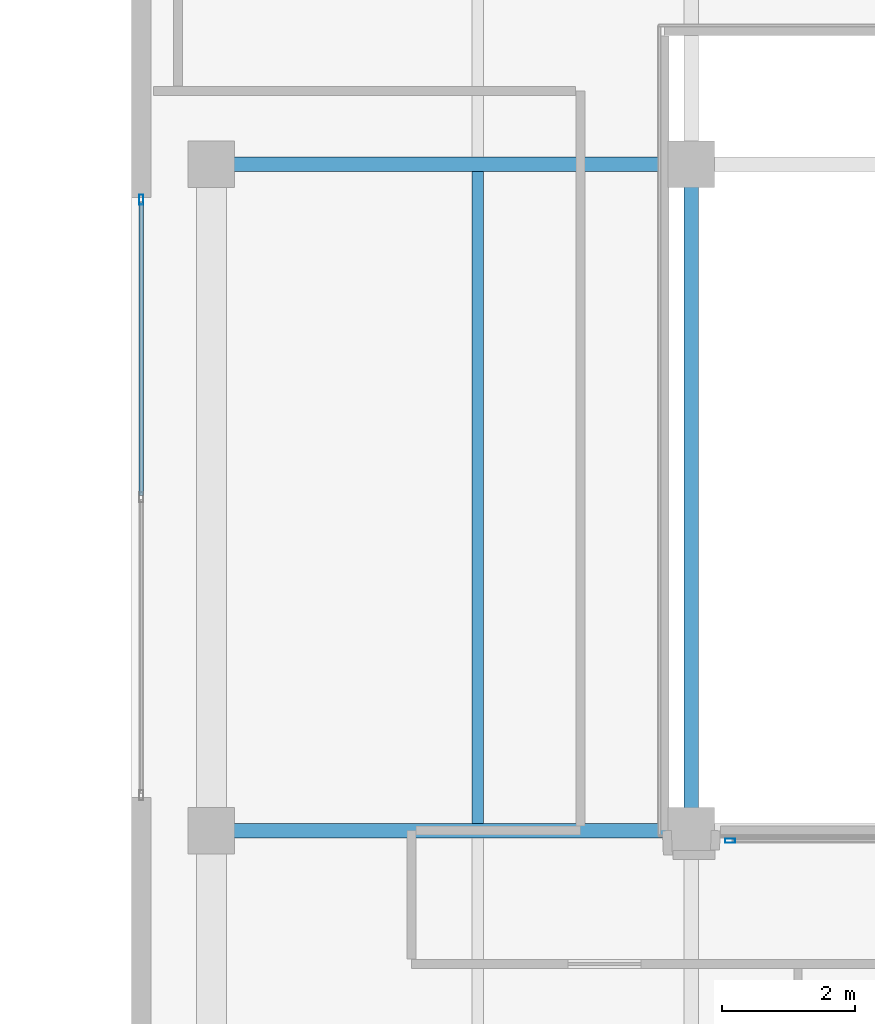
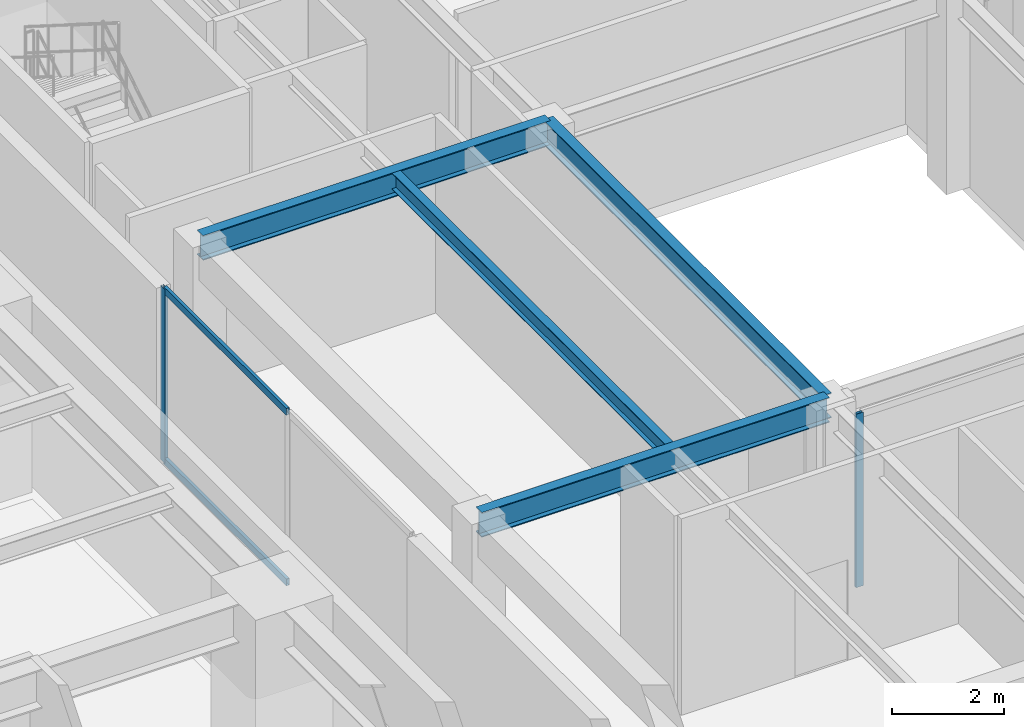
# One storey, part 9 of 25: 4 beams, 4 members, 2 elements without a shape of their own.
"""IFC4 building model written with IfcOpenShell, lengths in metres."""

from ifc_helpers import new_model, si_unit, direction, frame, origin, origin_2d, place, context, subcontext, project, spatial, hollow_rectangle, i_section, extrude, source, transform, mapped, material, layer, layer_set, material_profile, profile_set, type_object, type_shapes, element, aggregate, save


model = new_model("IFC4")

# Units and contexts
model_context = context("Model", 3, precision=1e-05, world=origin(), true_north=direction((0.0, 1.0)))
body_context = subcontext(model_context, "Body", "Model", "MODEL_VIEW")
ifc_project = project(units=[si_unit("LENGTHUNIT", "METRE"), si_unit("AREAUNIT", "SQUARE_METRE"), si_unit("VOLUMEUNIT", "CUBIC_METRE"), si_unit("PLANEANGLEUNIT", "RADIAN"), si_unit("MASSUNIT", "GRAM", prefix="KILO")], contexts=[model_context])

# Site, building, storey
site_placement = place(None, origin())
site = spatial("IfcSite", under=ifc_project, at=site_placement, CompositionType="ELEMENT")
building_placement = place(site_placement, origin())
building = spatial("IfcBuilding", under=site, at=building_placement, Name="Talar Marvaseh", CompositionType="ELEMENT")
storey_placement = place(building_placement, frame((0.0, 0.0, 5.199951171875)))
storey = spatial("IfcBuildingStorey", under=building, at=storey_placement, Name="L01", CompositionType="ELEMENT", Elevation=5.199951171875)

# Beams
ifc_material_1 = material(Name="Steel S355", Category="steel")
ifc_material_profile_1 = material_profile(ifc_material_1, i_section(OverallWidth=0.2119140625, OverallDepth=0.5439453125, WebThickness=0.01318359375, FlangeThickness=0.021240234375, at=origin_2d()), Name="W530x123")
ifc_profile_set_1 = profile_set([ifc_material_profile_1], Name="Steel S355")
beam_type_1 = type_object("IfcBeamType", Name="Market Hall Primary Girder W530x123", PredefinedType="BEAM", material=ifc_profile_set_1)
for number, where, z_axis, x_axis, name in (
    (1, (55.199951171875, 26.0, 4.028076171875), (1.0, 0.0, 0.0), (0.0, 1.0, 0.0), "L01 Market Hall Primary Girder W530x123"),
    (2, (55.199951171875, 36.0, 4.028076171875), (1.0, 0.0, 0.0), (0.0, 1.0, 0.0), "L01 Market Hall Primary Girder W530x123"),
):
    element("IfcBeam", number, at=place(storey_placement, frame(where, z_axis=z_axis, x_axis=x_axis)), inside=storey, type_object=beam_type_1, Name=name, PredefinedType="BEAM", context=body_context, shape_type="SweptSolid", body=[
        extrude(i_section(OverallWidth=0.2119140625, OverallDepth=0.5439453125, WebThickness=0.01318359375, FlangeThickness=0.021240234375, at=origin_2d()), origin(), (0.0, 0.0, 1.0), 7.199951171875),
    ])
beam_1_placement = place(storey_placement, frame((62.39990234375, 26.0, 4.028076171875), z_axis=(0.0, 1.0, 0.0), x_axis=(-1.0, 0.0, 0.0)))
element("IfcBeam", 3, at=beam_1_placement, inside=storey, type_object=beam_type_1, Name="L01 Market Hall Primary Girder W530x123", PredefinedType="BEAM", context=body_context, shape_type="SweptSolid", body=[
    extrude(i_section(OverallWidth=0.2119140625, OverallDepth=0.5439453125, WebThickness=0.01318359375, FlangeThickness=0.021240234375, at=origin_2d()), origin(), (0.0, 0.0, 1.0), 10.0),
])
ifc_material_profile_2 = material_profile(ifc_material_1, i_section(OverallWidth=0.172119140625, OverallDepth=0.35791015625, WebThickness=0.0078125, FlangeThickness=0.01318359375, at=origin_2d()), Name="W360x57")
ifc_profile_set_2 = profile_set([ifc_material_profile_2], Name="Steel S355")
beam_type_2 = type_object("IfcBeamType", Name="Zone 2 Secondary Floor Joist W360x57", PredefinedType="JOIST", material=ifc_profile_set_2)
beam_2_placement = place(storey_placement, frame((59.199951171875, 26.10498046875, 4.12109375), z_axis=(0.0, 1.0, 0.0), x_axis=(-1.0, 0.0, 0.0)))
element("IfcBeam", 4, at=beam_2_placement, inside=storey, type_object=beam_type_2, Name="L01 Zone 2 Secondary Floor Joist W360x57", PredefinedType="JOIST", context=body_context, shape_type="SweptSolid", body=[
    extrude(i_section(OverallWidth=0.172119140625, OverallDepth=0.35791015625, WebThickness=0.0078125, FlangeThickness=0.01318359375, at=origin_2d()), origin(), (0.0, 0.0, 1.0), 9.7900390625),
])

# Curtain wall, members
ifc_material_2 = material(Name="Architectural Aluminium", Category="aluminium")
ifc_layer = layer(ifc_material_2, 0.169921875)
ifc_layer_set = layer_set([ifc_layer], Name="Architectural Aluminium")
curtain_wall_type = type_object("IfcCurtainWallType", Name="Market Hall Clerestory and Courtyard Curtain Wall", PredefinedType="NOTDEFINED", material=ifc_layer_set)
curtain_wall_1_placement = place(storey_placement, origin())
curtain_wall_1 = element("IfcCurtainWall", 5, at=curtain_wall_1_placement, inside=storey, type_object=curtain_wall_type, Name="L01 Market Hall Clerestory and Courtyard Curtain Wall", PredefinedType="NOTDEFINED")
ifc_material_profile_3 = material_profile(ifc_material_2, hollow_rectangle(XDim=0.06494140625, YDim=0.14990234375, WallThickness=0.00390625, at=origin_2d()), Name="RHS150x65x4")
ifc_profile_set_3 = profile_set([ifc_material_profile_3], Name="Architectural Aluminium")
member_type_1 = type_object("IfcMemberType", Name="Unitised Curtain Wall Slim Transom RHS150x65x4", PredefinedType="USERDEFINED", material=ifc_profile_set_3)
shared_shape_1 = source(origin(), body_context, "Body", "SweptSolid", [
    extrude(hollow_rectangle(XDim=0.06494140625, YDim=0.14990234375, WallThickness=0.00390625, at=origin_2d()), origin(), (0.0, 0.0, 1.0), 4.402587890625),
])
type_shapes(member_type_1, [shared_shape_1])
member_1_placement = place(storey_placement, frame((54.14990234375, 31.032470703125, 0.032470703125), z_axis=(0.0, 1.0, 0.0), x_axis=(-1.0, 0.0, 0.0)))
member_1 = element("IfcMember", 6, at=member_1_placement, type_object=member_type_1, Name="CW-MKT transom 2.1", ObjectType="TRANSOM", PredefinedType="USERDEFINED", context=body_context, shape_type="MappedRepresentation", body=[
    mapped(shared_shape_1, transform((0.0, 0.0, 0.0), x_axis=(1.0, 0.0, 0.0), y_axis=(0.0, 1.0, 0.0), z_axis=(0.0, 0.0, 1.0), scale=1.0)),
])
member_2_placement = place(storey_placement, frame((54.14990234375, 31.032470703125, 3.767578125), z_axis=(0.0, 1.0, 0.0), x_axis=(-1.0, 0.0, 0.0)))
member_2 = element("IfcMember", 7, at=member_2_placement, type_object=member_type_1, Name="CW-MKT transom 2.2", ObjectType="TRANSOM", PredefinedType="USERDEFINED", context=body_context, shape_type="MappedRepresentation", body=[
    mapped(shared_shape_1, transform((0.0, 0.0, 0.0), x_axis=(1.0, 0.0, 0.0), y_axis=(0.0, 1.0, 0.0), z_axis=(0.0, 0.0, 1.0), scale=1.0)),
])
ifc_material_profile_4 = material_profile(ifc_material_2, hollow_rectangle(XDim=0.06494140625, YDim=0.14990234375, WallThickness=0.00390625, at=origin_2d()), Name="RHS150x65x4")
ifc_profile_set_4 = profile_set([ifc_material_profile_4], Name="Architectural Aluminium")
member_type_2 = type_object("IfcMemberType", Name="Unitised Curtain Wall Slim Mullion RHS150x65x4", PredefinedType="MULLION", material=ifc_profile_set_4)
shared_shape_2 = source(origin(), body_context, "Body", "SweptSolid", [
    extrude(hollow_rectangle(XDim=0.06494140625, YDim=0.14990234375, WallThickness=0.00390625, at=origin_2d()), origin(), (0.0, 0.0, 1.0), 3.800048828125),
])
type_shapes(member_type_2, [shared_shape_2])
member_3_placement = place(storey_placement, frame((54.14990234375, 35.467529296875, 0.0), z_axis=(0.0, 0.0, 1.0), x_axis=(-1.0, 0.0, 0.0)))
member_3 = element("IfcMember", 8, at=member_3_placement, type_object=member_type_2, Name="CW-MKT mullion 3", PredefinedType="MULLION", context=body_context, shape_type="MappedRepresentation", body=[
    mapped(shared_shape_2, transform((0.0, 0.0, 0.0), x_axis=(1.0, 0.0, 0.0), y_axis=(0.0, 1.0, 0.0), z_axis=(0.0, 0.0, 1.0), scale=1.0)),
])
aggregate(curtain_wall_1, [member_3, member_1, member_2])

# Curtain wall, member
curtain_wall_2_placement = place(storey_placement, origin())
curtain_wall_2 = element("IfcCurtainWall", 9, at=curtain_wall_2_placement, inside=storey, type_object=curtain_wall_type, Name="L01 Market Hall Clerestory and Courtyard Curtain Wall", PredefinedType="NOTDEFINED")
member_4_placement = place(storey_placement, frame((62.982421875, 25.85009765625, 0.0), z_axis=(0.0, 0.0, 1.0), x_axis=(0.0, 1.0, 0.0)))
member_4 = element("IfcMember", 10, at=member_4_placement, type_object=member_type_2, Name="CW-MKT mullion 1", PredefinedType="MULLION", context=body_context, shape_type="MappedRepresentation", body=[
    mapped(shared_shape_2, transform((0.0, 0.0, 0.0), x_axis=(1.0, 0.0, 0.0), y_axis=(0.0, 1.0, 0.0), z_axis=(0.0, 0.0, 1.0), scale=1.0)),
])
aggregate(curtain_wall_2, [member_4])

save(model, "model.ifc")
